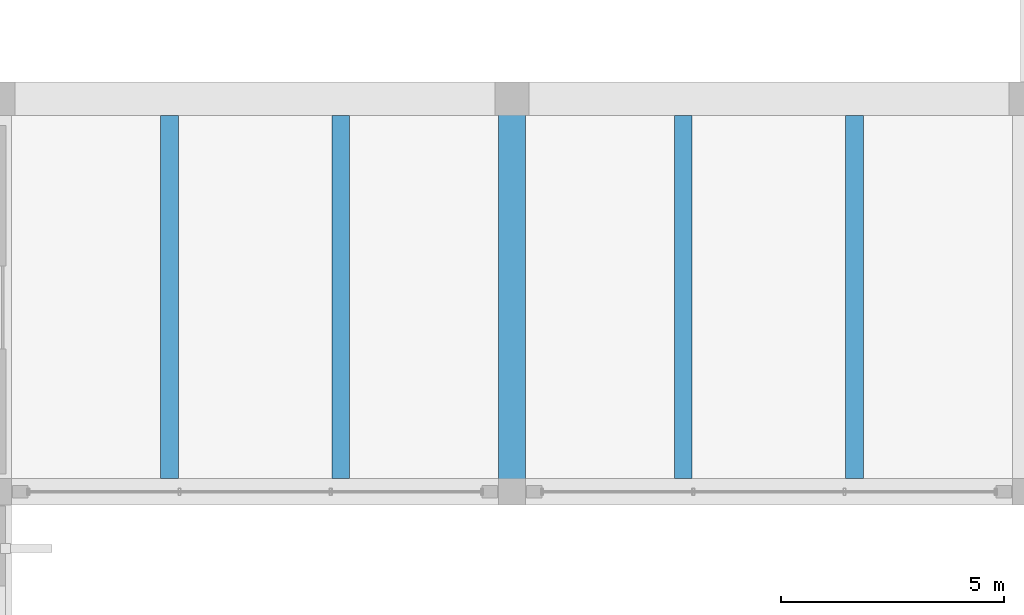
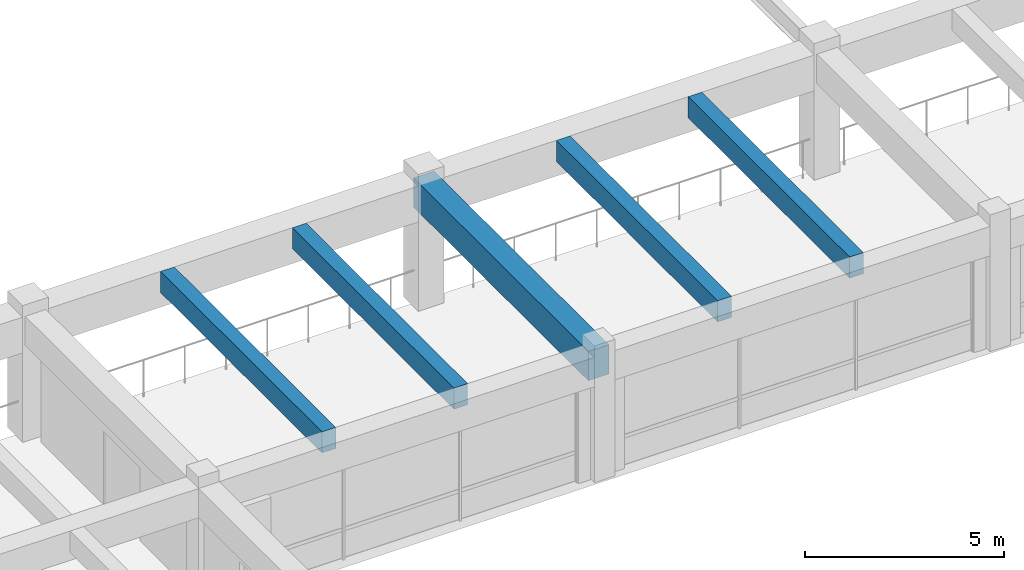
# One storey, part 8 of 98: 5 beams.
"""IFC4 building model written with IfcOpenShell, lengths in metres."""

from ifc_helpers import new_model, si_unit, direction, frame, origin, origin_2d, place, context, subcontext, project, spatial, rectangle, extrude, material, material_profile, profile_set, type_object, element, save


model = new_model("IFC4")

# Units and contexts
model_context = context("Model", 3, precision=1e-05, world=origin(), true_north=direction((0.0, 1.0)))
body_context = subcontext(model_context, "Body", "Model", "MODEL_VIEW")
ifc_project = project(units=[si_unit("LENGTHUNIT", "METRE"), si_unit("AREAUNIT", "SQUARE_METRE"), si_unit("VOLUMEUNIT", "CUBIC_METRE"), si_unit("PLANEANGLEUNIT", "RADIAN"), si_unit("MASSUNIT", "GRAM", prefix="KILO")], contexts=[model_context])

# Site, building, storey
site_placement = place(None, origin())
site = spatial("IfcSite", under=ifc_project, at=site_placement, CompositionType="ELEMENT")
building_placement = place(site_placement, origin())
building = spatial("IfcBuilding", under=site, at=building_placement, Name="Ologun Quay Terminus", CompositionType="ELEMENT")
storey_placement = place(building_placement, frame((0.0, 0.0, 4.199951171875)))
storey = spatial("IfcBuildingStorey", under=building, at=storey_placement, Name="L01", CompositionType="ELEMENT", Elevation=4.199951171875)

# Beams
ifc_material_1 = material(Name="Concrete C40/50", Category="concrete")
ifc_material_profile_1 = material_profile(ifc_material_1, rectangle(XDim=0.60009765625, YDim=0.89990234375, at=origin_2d()), Name="RC 600x900")
ifc_profile_set_1 = profile_set([ifc_material_profile_1], Name="Concrete C40/50")
beam_type_1 = type_object("IfcBeamType", Name="Station Frame Girder 600x900", PredefinedType="BEAM", material=ifc_profile_set_1)
beam_placement = place(storey_placement, frame((23.0, 27.199951171875, 3.400146484375), z_axis=(0.0, 1.0, 0.0), x_axis=(-1.0, 0.0, 0.0)))
element("IfcBeam", 1, at=beam_placement, inside=storey, type_object=beam_type_1, Name="B3 Beam 3/D L01", PredefinedType="BEAM", context=body_context, shape_type="SweptSolid", body=[
    extrude(rectangle(XDim=0.60009765625, YDim=0.89990234375, at=origin_2d()), origin(), (0.0, 0.0, 1.0), 8.800048828125),
])
ifc_material_2 = material(Name="Concrete C40/50", Category="concrete")
ifc_material_profile_2 = material_profile(ifc_material_2, rectangle(XDim=0.39990234375, YDim=0.64990234375, at=origin_2d()), Name="RC 400x650")
ifc_profile_set_2 = profile_set([ifc_material_profile_2], Name="Concrete C40/50")
beam_type_2 = type_object("IfcBeamType", Name="Station Secondary Joist 400x650", PredefinedType="JOIST", material=ifc_profile_set_2)
for number, where, z_axis, x_axis, name in (
    (2, (15.333251953125, 27.5, 3.525146484375), (0.0, 1.0, 0.0), (-1.0, 0.0, 0.0), "J1 Beam 2/D L01"),
    (3, (19.166748046875, 27.5, 3.525146484375), (0.0, 1.0, 0.0), (-1.0, 0.0, 0.0), "J1 Beam 2/D L01"),
    (4, (26.833251953125, 27.5, 3.525146484375), (0.0, 1.0, 0.0), (-1.0, 0.0, 0.0), "J1 Beam 3/D L01"),
    (5, (30.666748046875, 27.5, 3.525146484375), (0.0, 1.0, 0.0), (-1.0, 0.0, 0.0), "J1 Beam 3/D L01"),
):
    element("IfcBeam", number, at=place(storey_placement, frame(where, z_axis=z_axis, x_axis=x_axis)), inside=storey, type_object=beam_type_2, Name=name, PredefinedType="JOIST", context=body_context, shape_type="SweptSolid", body=[
        extrude(rectangle(XDim=0.39990234375, YDim=0.64990234375, at=origin_2d()), origin(), (0.0, 0.0, 1.0), 8.125),
    ])

save(model, "model.ifc")
